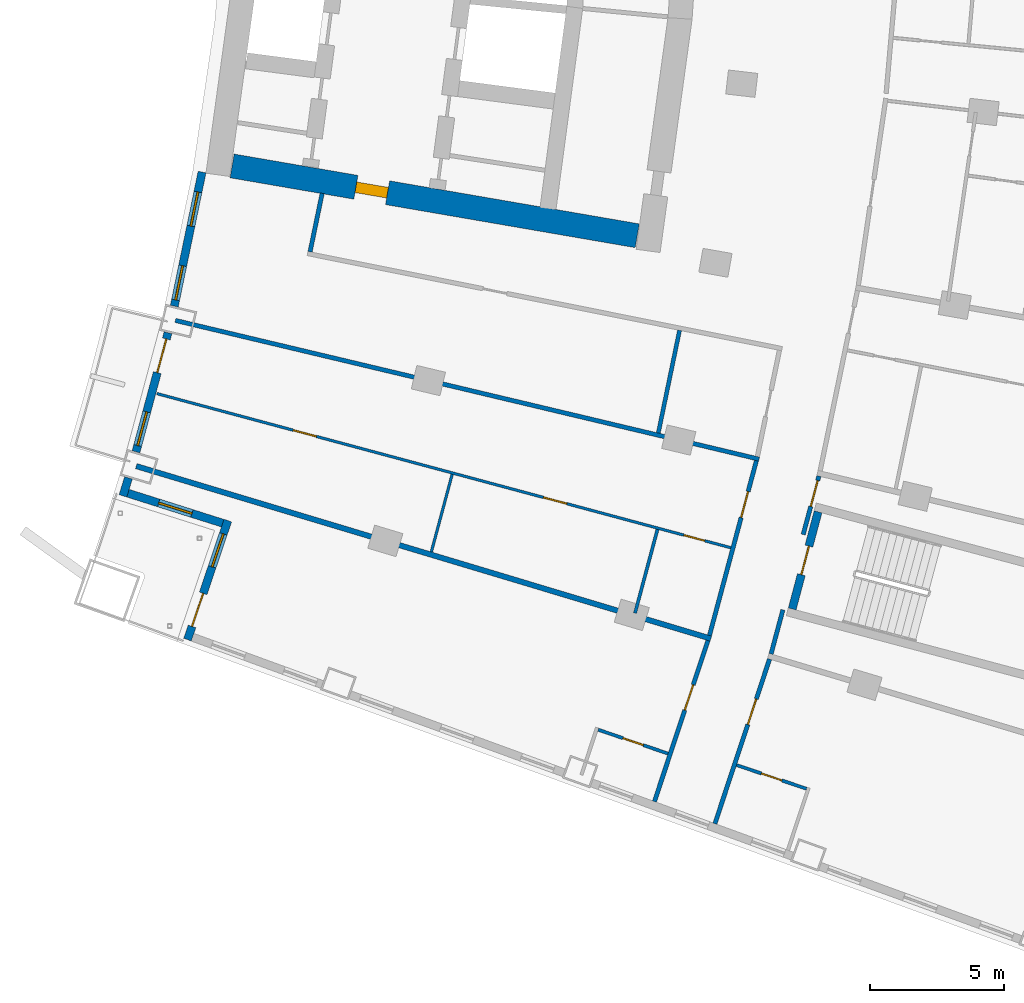
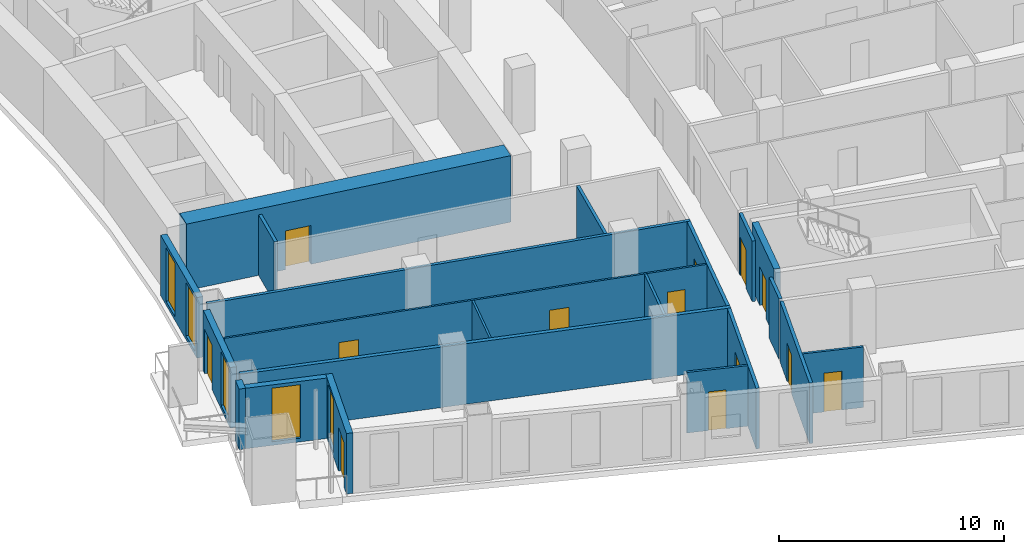
# One storey, part 13 of 25: 21 walls, 13 doors, 5 windows, 18 openings.
"""IFC4 building model written with IfcOpenShell, lengths in metres."""

from ifc_helpers import new_model, si_unit, direction, frame, frame_2d, origin, place, context, subcontext, project, spatial, rectangle, extrude, material, layer, layer_set, type_object, element, fill, save


model = new_model("IFC4")

# Units and contexts
model_context = context("Model", 3, precision=1e-05, world=origin(), true_north=direction((0.0, 1.0)))
body_context = subcontext(model_context, "Body", "Model", "MODEL_VIEW")
ifc_project = project(units=[si_unit("LENGTHUNIT", "METRE"), si_unit("AREAUNIT", "SQUARE_METRE"), si_unit("VOLUMEUNIT", "CUBIC_METRE"), si_unit("PLANEANGLEUNIT", "RADIAN"), si_unit("MASSUNIT", "GRAM", prefix="KILO")], contexts=[model_context])

# Site, building, storey
site_placement = place(None, origin())
site = spatial("IfcSite", under=ifc_project, at=site_placement, CompositionType="ELEMENT")
building_placement = place(site_placement, origin())
building = spatial("IfcBuilding", under=site, at=building_placement, Name="Alderwake Tower", CompositionType="ELEMENT")
storey_placement = place(building_placement, frame((0.0, 0.0, 46.39990234375)))
storey = spatial("IfcBuildingStorey", under=building, at=storey_placement, Name="L10", CompositionType="ELEMENT", Elevation=46.39990234375)

# Wall, opening, door
ifc_material_1 = material(Name="Concrete C70/85", Category="concrete")
ifc_layer_1 = layer(ifc_material_1, 0.89990234375)
ifc_layer_set_1 = layer_set([ifc_layer_1], Name="Core wall outer 900 C70-85")
wall_type_1 = type_object("IfcWallType", Name="Core wall outer 900 C70-85", PredefinedType="SHEAR", material=ifc_layer_set_1)
wall_1_placement = place(storey_placement, frame((31.11328125, 41.846923828125, 0.0), z_axis=(0.0, 0.0, 1.0), x_axis=(-0.985466640605, 0.169869067972, 0.0)))
wall_1 = element("IfcWall", 1, at=wall_1_placement, inside=storey, type_object=wall_type_1, Name="Core wall CW.070", PredefinedType="SHEAR", context=body_context, shape_type="SweptSolid", body=[
    extrude(rectangle(XDim=15.336669921875, YDim=0.89990234375, at=frame_2d((7.66845703125, 0.0))), origin(), (0.0, 0.0, 1.0), 3.60009765625),
])
opening_1_placement = place(wall_1_placement, frame((9.451904296875, 0.0, 0.0)))
opening_1 = element("IfcOpeningElement", 2, at=opening_1_placement, cuts=wall_1, Name="Opening C003", PredefinedType="OPENING", context=body_context, shape_type="SweptSolid", body=[
    extrude(rectangle(XDim=1.199951171875, YDim=2.10009765625, at=frame_2d((0.60009765625, 1.050048828125))), frame((0.0, 0.4599609375, 0.0), z_axis=(0.0, -1.0, 0.0), x_axis=(1.0, 0.0, 0.0)), (0.0, 0.0, 1.0), 0.919921875),
])
ifc_material_2 = material(Name="Steel-framed fire door leaf", Category="steel")
door_type_1 = type_object("IfcDoorType", Name="Core lobby exit door 1200 fire-rated", OperationType="SINGLE_SWING_LEFT", PredefinedType="DOOR", material=ifc_material_2)
door_1_placement = place(opening_1_placement, origin())
door_1 = element("IfcDoor", 3, at=door_1_placement, inside=storey, type_object=door_type_1, Name="Lobby door", OperationType="SINGLE_SWING_LEFT", OverallHeight=2.10009765625, OverallWidth=1.199951171875, PredefinedType="DOOR", context=body_context, shape_type="SweptSolid", body=[
    extrude(rectangle(XDim=1.199951171875, YDim=2.10009765625, at=frame_2d((0.60009765625, 1.050048828125))), frame((0.0, 0.199951171875, 0.0), z_axis=(0.0, -1.0, 0.0), x_axis=(1.0, 0.0, 0.0)), (0.0, 0.0, 1.0), 0.39990234375),
])
fill(opening_1, door_1)

ifc_material_3 = material(Name="Concrete C70/85", Category="concrete")
ifc_layer_2 = layer(ifc_material_3, 0.300048828125)
ifc_layer_set_2 = layer_set([ifc_layer_2], Name="Core wall stair enclosure 300 C70-85")
wall_type_2 = type_object("IfcWallType", Name="Core wall stair enclosure 300 C70-85", PredefinedType="SHEAR", material=ifc_layer_set_2)
wall_2_placement = place(storey_placement, frame((36.89501953125, 27.923828125, 0.0), z_axis=(0.0, 0.0, 1.0), x_axis=(0.257350630826, 0.966318090907, 0.0)))
wall_2 = element("IfcWall", 4, at=wall_2_placement, inside=storey, type_object=wall_type_2, Name="Core wall CW.087", PredefinedType="SHEAR", context=body_context, shape_type="SweptSolid", body=[
    extrude(rectangle(XDim=3.75, YDim=0.300048828125, at=frame_2d((1.875, 0.0))), origin(), (0.0, 0.0, 1.0), 3.60009765625),
])
opening_2_placement = place(wall_2_placement, frame((1.324951171875, 0.0, 0.0)))
opening_2 = element("IfcOpeningElement", 5, at=opening_2_placement, cuts=wall_2, Name="Opening C065", PredefinedType="OPENING", context=body_context, shape_type="SweptSolid", body=[
    extrude(rectangle(XDim=1.10009765625, YDim=2.10009765625, at=frame_2d((0.550048828125, 1.050048828125))), frame((0.0, 0.159912109375, 0.0), z_axis=(0.0, -1.0, 0.0), x_axis=(1.0, 0.0, 0.0)), (0.0, 0.0, 1.0), 0.320068359375),
])
ifc_material_4 = material(Name="Steel-framed fire door leaf", Category="steel")
door_type_2 = type_object("IfcDoorType", Name="Core stair door 1100 fire-rated", OperationType="SINGLE_SWING_LEFT", PredefinedType="DOOR", material=ifc_material_4)
door_2_placement = place(opening_2_placement, origin())
door_2 = element("IfcDoor", 6, at=door_2_placement, inside=storey, type_object=door_type_2, Name="Stair door", OperationType="SINGLE_SWING_LEFT", OverallHeight=2.10009765625, OverallWidth=1.10009765625, PredefinedType="DOOR", context=body_context, shape_type="SweptSolid", body=[
    extrude(rectangle(XDim=1.10009765625, YDim=2.10009765625, at=frame_2d((0.550048828125, 1.050048828125))), frame((0.0, 0.02490234375, 0.0), z_axis=(0.0, -1.0, 0.0), x_axis=(1.0, 0.0, 0.0)), (0.0, 0.0, 1.0), 0.050048828125),
])
fill(opening_2, door_2)

# Walls
ifc_material_5 = material(Name="Gypsum board on metal studs, rated")
ifc_layer_3 = layer(ifc_material_5, 0.159912109375)
ifc_layer_set_3 = layer_set([ifc_layer_3], Name="Corridor wall 160")
wall_type_3 = type_object("IfcWallType", Name="Corridor wall 160", PredefinedType="PARTITIONING", material=ifc_layer_set_3)
wall_3_placement = place(storey_placement, frame((13.884033203125, 38.68798828125, 0.0), z_axis=(0.0, 0.0, 1.0), x_axis=(0.972893462073, -0.231253781493, 0.0)))
element("IfcWall", 7, at=wall_3_placement, inside=storey, type_object=wall_type_3, Name="WL/L10/W14", PredefinedType="PARTITIONING", context=body_context, shape_type="SweptSolid", body=[
    extrude(rectangle(XDim=22.38037109375, YDim=0.159912109375, at=frame_2d((11.190185546875, 0.0))), origin(), (0.0, 0.0, 1.0), 3.280029296875),
])
wall_4_placement = place(storey_placement, frame((19.35888671875, 43.430908203125, 0.0), z_axis=(0.0, 0.0, 1.0), x_axis=(-0.202554916658, -0.979270905183, 0.0)))
element("IfcWall", 8, at=wall_4_placement, inside=storey, type_object=wall_type_3, Name="WL/L10/W17", PredefinedType="PARTITIONING", context=body_context, shape_type="SweptSolid", body=[
    extrude(rectangle(XDim=2.229736328125, YDim=0.159912109375, at=frame_2d((1.11474609375, 0.0))), origin(), (0.0, 0.0, 1.0), 3.280029296875),
])

# Wall, opening, door
wall_5_placement = place(storey_placement, frame((31.7548828125, 20.739013671875, 0.0), z_axis=(0.0, 0.0, 1.0), x_axis=(0.31554473692, 0.948910701279, 0.0)))
wall_5 = element("IfcWall", 9, at=wall_5_placement, inside=storey, type_object=wall_type_3, Name="WL/L10/W19", PredefinedType="PARTITIONING", context=body_context, shape_type="SweptSolid", body=[
    extrude(rectangle(XDim=6.327392578125, YDim=0.159912109375, at=frame_2d((3.16357421875, 0.0))), origin(), (0.0, 0.0, 1.0), 3.280029296875),
])
opening_3_placement = place(wall_5_placement, frame((3.59130859375, 0.0, 0.0)))
opening_3 = element("IfcOpeningElement", 10, at=opening_3_placement, cuts=wall_5, Name="Opening R02-U11.1", PredefinedType="OPENING", context=body_context, shape_type="SweptSolid", body=[
    extrude(rectangle(XDim=1.0, YDim=2.10009765625, at=frame_2d((0.5, 1.050048828125))), frame((0.0, 0.08984375, 0.0), z_axis=(0.0, -1.0, 0.0), x_axis=(1.0, 0.0, 0.0)), (0.0, 0.0, 1.0), 0.179931640625),
])
ifc_material_6 = material(Name="Solid timber leaf in steel frame", Category="steel")
door_type_3 = type_object("IfcDoorType", Name="Flat entrance door 1000 fire-rated", OperationType="SINGLE_SWING_LEFT", PredefinedType="DOOR", material=ifc_material_6)
door_3_placement = place(opening_3_placement, origin())
door_3 = element("IfcDoor", 11, at=door_3_placement, inside=storey, type_object=door_type_3, Name="DR/L10/U11.1", OperationType="SINGLE_SWING_LEFT", OverallHeight=2.10009765625, OverallWidth=1.0, PredefinedType="DOOR", context=body_context, shape_type="SweptSolid", body=[
    extrude(rectangle(XDim=1.0, YDim=2.10009765625, at=frame_2d((0.5, 1.050048828125))), frame((0.0, 0.02490234375, 0.0), z_axis=(0.0, -1.0, 0.0), x_axis=(1.0, 0.0, 0.0)), (0.0, 0.0, 1.0), 0.050048828125),
])
fill(opening_3, door_3)

wall_6_placement = place(storey_placement, frame((33.808837890625, 26.9345703125, 0.0), z_axis=(0.0, 0.0, 1.0), x_axis=(0.259298911818, 0.965797118618, 0.0)))
wall_6 = element("IfcWall", 12, at=wall_6_placement, inside=storey, type_object=wall_type_3, Name="WL/L10/W20", PredefinedType="PARTITIONING", context=body_context, shape_type="SweptSolid", body=[
    extrude(rectangle(XDim=6.75, YDim=0.159912109375, at=frame_2d((3.375, 0.0))), origin(), (0.0, 0.0, 1.0), 3.280029296875),
])
opening_4_placement = place(wall_6_placement, frame((4.5576171875, 0.0, 0.0)))
opening_4 = element("IfcOpeningElement", 13, at=opening_4_placement, cuts=wall_6, Name="Opening R02-U12.2", PredefinedType="OPENING", context=body_context, shape_type="SweptSolid", body=[
    extrude(rectangle(XDim=1.0, YDim=2.10009765625, at=frame_2d((0.5, 1.050048828125))), frame((0.0, 0.08984375, 0.0), z_axis=(0.0, -1.0, 0.0), x_axis=(1.0, 0.0, 0.0)), (0.0, 0.0, 1.0), 0.179931640625),
])
door_4_placement = place(opening_4_placement, origin())
door_4 = element("IfcDoor", 14, at=door_4_placement, inside=storey, type_object=door_type_3, Name="DR/L10/U12.2", OperationType="SINGLE_SWING_LEFT", OverallHeight=2.10009765625, OverallWidth=1.0, PredefinedType="DOOR", context=body_context, shape_type="SweptSolid", body=[
    extrude(rectangle(XDim=1.0, YDim=2.10009765625, at=frame_2d((0.5, 1.050048828125))), frame((0.0, 0.02490234375, 0.0), z_axis=(0.0, -1.0, 0.0), x_axis=(1.0, 0.0, 0.0)), (0.0, 0.0, 1.0), 0.050048828125),
])
fill(opening_4, door_4)

wall_7_placement = place(storey_placement, frame((36.049560546875, 26.052978515625, 0.0), z_axis=(0.0, 0.0, 1.0), x_axis=(-0.315151894598, -0.949041244273, 0.0)))
wall_7 = element("IfcWall", 15, at=wall_7_placement, inside=storey, type_object=wall_type_3, Name="WL/L10/W22", PredefinedType="PARTITIONING", context=body_context, shape_type="SweptSolid", body=[
    extrude(rectangle(XDim=6.468505859375, YDim=0.159912109375, at=frame_2d((3.234375, 0.0))), origin(), (0.0, 0.0, 1.0), 3.280029296875),
])
opening_5_placement = place(wall_7_placement, frame((1.570068359375, 0.0, 0.0)))
opening_5 = element("IfcOpeningElement", 16, at=opening_5_placement, cuts=wall_7, Name="Opening R02-U03.1", PredefinedType="OPENING", context=body_context, shape_type="SweptSolid", body=[
    extrude(rectangle(XDim=1.0, YDim=2.10009765625, at=frame_2d((0.5, 1.050048828125))), frame((0.0, 0.08984375, 0.0), z_axis=(0.0, -1.0, 0.0), x_axis=(1.0, 0.0, 0.0)), (0.0, 0.0, 1.0), 0.179931640625),
])
door_5_placement = place(opening_5_placement, origin())
door_5 = element("IfcDoor", 17, at=door_5_placement, inside=storey, type_object=door_type_3, Name="DR/L10/U03.1", OperationType="SINGLE_SWING_LEFT", OverallHeight=2.10009765625, OverallWidth=1.0, PredefinedType="DOOR", context=body_context, shape_type="SweptSolid", body=[
    extrude(rectangle(XDim=1.0, YDim=2.10009765625, at=frame_2d((0.5, 1.050048828125))), frame((0.0, 0.02490234375, 0.0), z_axis=(0.0, -1.0, 0.0), x_axis=(1.0, 0.0, 0.0)), (0.0, 0.0, 1.0), 0.050048828125),
])
fill(opening_5, door_5)

# Wall
wall_8_placement = place(storey_placement, frame((36.10693359375, 26.24462890625, 0.0), z_axis=(0.0, 0.0, 1.0), x_axis=(0.259346865847, 0.965784242559, 0.0)))
element("IfcWall", 18, at=wall_8_placement, inside=storey, type_object=wall_type_3, Name="WL/L10/W25", PredefinedType="PARTITIONING", context=body_context, shape_type="SweptSolid", body=[
    extrude(rectangle(XDim=1.704833984375, YDim=0.159912109375, at=frame_2d((0.8525390625, 0.0))), origin(), (0.0, 0.0, 1.0), 3.280029296875),
])

# Wall, opening, door
wall_9_placement = place(storey_placement, frame((37.89111328125, 32.87939453125, 0.0), z_axis=(0.0, 0.0, 1.0), x_axis=(-0.259620578816, -0.965710699462, 0.0)))
wall_9 = element("IfcWall", 19, at=wall_9_placement, inside=storey, type_object=wall_type_3, Name="WL/L10/W30", PredefinedType="PARTITIONING", context=body_context, shape_type="SweptSolid", body=[
    extrude(rectangle(XDim=2.2578125, YDim=0.159912109375, at=frame_2d((1.12890625, 0.0))), origin(), (0.0, 0.0, 1.0), 3.280029296875),
])
opening_6_placement = place(wall_9_placement, frame((0.1708984375, 0.0, 0.0)))
opening_6 = element("IfcOpeningElement", 20, at=opening_6_placement, cuts=wall_9, Name="Opening R02-U01.1", PredefinedType="OPENING", context=body_context, shape_type="SweptSolid", body=[
    extrude(rectangle(XDim=1.0, YDim=2.10009765625, at=frame_2d((0.5, 1.050048828125))), frame((0.0, 0.08984375, 0.0), z_axis=(0.0, -1.0, 0.0), x_axis=(1.0, 0.0, 0.0)), (0.0, 0.0, 1.0), 0.179931640625),
])
door_6_placement = place(opening_6_placement, origin())
door_6 = element("IfcDoor", 21, at=door_6_placement, inside=storey, type_object=door_type_3, Name="DR/L10/U01.1", OperationType="SINGLE_SWING_LEFT", OverallHeight=2.10009765625, OverallWidth=1.0, PredefinedType="DOOR", context=body_context, shape_type="SweptSolid", body=[
    extrude(rectangle(XDim=1.0, YDim=2.10009765625, at=frame_2d((0.5, 1.050048828125))), frame((0.0, 0.02490234375, 0.0), z_axis=(0.0, -1.0, 0.0), x_axis=(1.0, 0.0, 0.0)), (0.0, 0.0, 1.0), 0.050048828125),
])
fill(opening_6, door_6)

# Wall
ifc_material_7 = material(Name="Precast concrete C50/60 spandrel panel", Category="concrete")
ifc_layer_4 = layer(ifc_material_7, 0.300048828125)
ifc_layer_set_4 = layer_set([ifc_layer_4], Name="External wall EW1 Precast concrete C50/60 spandrel")
wall_type_4 = type_object("IfcWallType", Name="External wall EW1 Precast concrete C50/60 spandrel", PredefinedType="SOLIDWALL", material=ifc_layer_set_4)
wall_10_placement = place(storey_placement, frame((12.1328125, 32.814453125, 0.0), z_axis=(0.0, 0.0, 1.0), x_axis=(-0.294671831364, -0.955598509731, 0.0)))
element("IfcWall", 22, at=wall_10_placement, inside=storey, type_object=wall_type_4, Name="External wall 1", PredefinedType="SOLIDWALL", context=body_context, shape_type="SweptSolid", body=[
    extrude(rectangle(XDim=0.70263671875, YDim=0.300048828125, at=frame_2d((0.351318359375, 0.0))), origin(), (0.0, 0.0, 1.0), 3.280029296875),
])

# Wall, openings, windows
wall_11_placement = place(storey_placement, frame((14.878173828125, 44.223388671875, 0.0), z_axis=(0.0, 0.0, 1.0), x_axis=(-0.202738354746, -0.979232944459, 0.0)))
wall_11 = element("IfcWall", 23, at=wall_11_placement, inside=storey, type_object=wall_type_4, Name="External wall 35", PredefinedType="SOLIDWALL", context=body_context, shape_type="SweptSolid", body=[
    extrude(rectangle(XDim=5.1083984375, YDim=0.300048828125, at=frame_2d((2.55419921875, 0.0))), origin(), (0.0, 0.0, 1.0), 3.280029296875),
])
opening_7_placement = place(wall_11_placement, frame((0.75634765625, 0.0, 0.199951171875)))
opening_7 = element("IfcOpeningElement", 24, at=opening_7_placement, cuts=wall_11, Name="Opening W1", PredefinedType="OPENING", context=body_context, shape_type="SweptSolid", body=[
    extrude(rectangle(XDim=1.300048828125, YDim=2.89990234375, at=frame_2d((0.64990234375, 1.449951171875))), frame((0.0, 0.159912109375, 0.0), z_axis=(0.0, -1.0, 0.0), x_axis=(1.0, 0.0, 0.0)), (0.0, 0.0, 1.0), 0.320068359375),
])
opening_8_placement = place(wall_11_placement, frame((3.569091796875, 0.0, 0.199951171875)))
opening_8 = element("IfcOpeningElement", 25, at=opening_8_placement, cuts=wall_11, Name="Opening W1", PredefinedType="OPENING", context=body_context, shape_type="SweptSolid", body=[
    extrude(rectangle(XDim=1.300048828125, YDim=2.89990234375, at=frame_2d((0.64990234375, 1.449951171875))), frame((0.0, 0.159912109375, 0.0), z_axis=(0.0, -1.0, 0.0), x_axis=(1.0, 0.0, 0.0)), (0.0, 0.0, 1.0), 0.320068359375),
])
ifc_material_8 = material(Name="Bronze tinted glass in aluminium frame", Category="aluminium")
window_type = type_object("IfcWindowType", Name="Window W1 tall fixed and vent", PartitioningType="DOUBLE_PANEL_VERTICAL", PredefinedType="WINDOW", material=ifc_material_8)
window_1_placement = place(opening_7_placement, origin())
window_1 = element("IfcWindow", 26, at=window_1_placement, inside=storey, type_object=window_type, Name="Window W1 tall fixed and vent", OverallHeight=2.89990234375, OverallWidth=1.300048828125, PartitioningType="DOUBLE_PANEL_VERTICAL", PredefinedType="WINDOW", context=body_context, shape_type="SweptSolid", body=[
    extrude(rectangle(XDim=1.300048828125, YDim=2.89990234375, at=frame_2d((0.64990234375, 1.449951171875))), frame((0.0, 0.030029296875, 0.0), z_axis=(0.0, -1.0, 0.0), x_axis=(1.0, 0.0, 0.0)), (0.0, 0.0, 1.0), 0.06005859375),
])
fill(opening_7, window_1)
window_2_placement = place(opening_8_placement, origin())
window_2 = element("IfcWindow", 27, at=window_2_placement, inside=storey, type_object=window_type, Name="Window W1 tall fixed and vent", OverallHeight=2.89990234375, OverallWidth=1.300048828125, PartitioningType="DOUBLE_PANEL_VERTICAL", PredefinedType="WINDOW", context=body_context, shape_type="SweptSolid", body=[
    extrude(rectangle(XDim=1.300048828125, YDim=2.89990234375, at=frame_2d((0.64990234375, 1.449951171875))), frame((0.0, 0.030029296875, 0.0), z_axis=(0.0, -1.0, 0.0), x_axis=(1.0, 0.0, 0.0)), (0.0, 0.0, 1.0), 0.06005859375),
])
fill(opening_8, window_2)

# Wall, openings, door, window
wall_12_placement = place(storey_placement, frame((13.606689453125, 38.229248046875, 0.0), z_axis=(0.0, 0.0, 1.0), x_axis=(-0.259495671332, -0.965744270788, 0.0)))
wall_12 = element("IfcWall", 28, at=wall_12_placement, inside=storey, type_object=wall_type_4, Name="External wall 36", PredefinedType="SOLIDWALL", context=body_context, shape_type="SweptSolid", body=[
    extrude(rectangle(XDim=4.599609375, YDim=0.300048828125, at=frame_2d((2.2998046875, 0.0))), origin(), (0.0, 0.0, 1.0), 3.280029296875),
])
opening_9_placement = place(wall_12_placement, frame((0.2412109375, 0.0, 0.0)))
opening_9 = element("IfcOpeningElement", 29, at=opening_9_placement, cuts=wall_12, Name="Opening D16", PredefinedType="OPENING", context=body_context, shape_type="SweptSolid", body=[
    extrude(rectangle(XDim=1.300048828125, YDim=2.39990234375, at=frame_2d((0.64990234375, 1.199951171875))), frame((0.0, 0.159912109375, 0.0), z_axis=(0.0, -1.0, 0.0), x_axis=(1.0, 0.0, 0.0)), (0.0, 0.0, 1.0), 0.320068359375),
])
opening_10_placement = place(wall_12_placement, frame((3.058349609375, 0.0, 0.199951171875)))
opening_10 = element("IfcOpeningElement", 30, at=opening_10_placement, cuts=wall_12, Name="Opening W1", PredefinedType="OPENING", context=body_context, shape_type="SweptSolid", body=[
    extrude(rectangle(XDim=1.300048828125, YDim=2.89990234375, at=frame_2d((0.64990234375, 1.449951171875))), frame((0.0, 0.159912109375, 0.0), z_axis=(0.0, -1.0, 0.0), x_axis=(1.0, 0.0, 0.0)), (0.0, 0.0, 1.0), 0.320068359375),
])
ifc_material_9 = material(Name="Bronze tinted glass in aluminium frame", Category="aluminium")
door_type_4 = type_object("IfcDoorType", Name="Balcony door BD sliding", OperationType="SLIDING_TO_LEFT", PredefinedType="DOOR", material=ifc_material_9)
door_7_placement = place(opening_9_placement, origin())
door_7 = element("IfcDoor", 31, at=door_7_placement, inside=storey, type_object=door_type_4, Name="Door D16", OperationType="SLIDING_TO_LEFT", OverallHeight=2.39990234375, OverallWidth=1.300048828125, PredefinedType="DOOR", context=body_context, shape_type="SweptSolid", body=[
    extrude(rectangle(XDim=1.300048828125, YDim=2.39990234375, at=frame_2d((0.64990234375, 1.199951171875))), frame((0.0, 0.02490234375, 0.0), z_axis=(0.0, -1.0, 0.0), x_axis=(1.0, 0.0, 0.0)), (0.0, 0.0, 1.0), 0.050048828125),
])
fill(opening_9, door_7)
window_3_placement = place(opening_10_placement, origin())
window_3 = element("IfcWindow", 32, at=window_3_placement, inside=storey, type_object=window_type, Name="Window W1 tall fixed and vent", OverallHeight=2.89990234375, OverallWidth=1.300048828125, PartitioningType="DOUBLE_PANEL_VERTICAL", PredefinedType="WINDOW", context=body_context, shape_type="SweptSolid", body=[
    extrude(rectangle(XDim=1.300048828125, YDim=2.89990234375, at=frame_2d((0.64990234375, 1.449951171875))), frame((0.0, 0.030029296875, 0.0), z_axis=(0.0, -1.0, 0.0), x_axis=(1.0, 0.0, 0.0)), (0.0, 0.0, 1.0), 0.06005859375),
])
fill(opening_10, window_3)

# Wall, opening, window
ifc_material_10 = material(Name="Bronze metal cladding on lightweight framing")
ifc_layer_5 = layer(ifc_material_10, 0.300048828125)
ifc_layer_set_5 = layer_set([ifc_layer_5], Name="External wall EW2 bronze metal cladding")
wall_type_5 = type_object("IfcWallType", Name="External wall EW2 bronze metal cladding", PredefinedType="SOLIDWALL", material=ifc_layer_set_5)
wall_13_placement = place(storey_placement, frame((12.113037109375, 32.2412109375, 0.0), z_axis=(0.0, 0.0, 1.0), x_axis=(0.953458128271, -0.301525451054, 0.0)))
wall_13 = element("IfcWall", 33, at=wall_13_placement, inside=storey, type_object=wall_type_5, Name="External wall 2", PredefinedType="SOLIDWALL", context=body_context, shape_type="SweptSolid", body=[
    extrude(rectangle(XDim=3.705810546875, YDim=0.300048828125, at=frame_2d((1.85302734375, 0.0))), origin(), (0.0, 0.0, 1.0), 3.280029296875),
])
opening_11_placement = place(wall_13_placement, frame((1.202880859375, 0.0, 0.199951171875)))
opening_11 = element("IfcOpeningElement", 34, at=opening_11_placement, cuts=wall_13, Name="Opening W1", PredefinedType="OPENING", context=body_context, shape_type="SweptSolid", body=[
    extrude(rectangle(XDim=1.300048828125, YDim=2.89990234375, at=frame_2d((0.64990234375, 1.449951171875))), frame((0.0, 0.159912109375, 0.0), z_axis=(0.0, -1.0, 0.0), x_axis=(1.0, 0.0, 0.0)), (0.0, 0.0, 1.0), 0.320068359375),
])
window_4_placement = place(opening_11_placement, origin())
window_4 = element("IfcWindow", 35, at=window_4_placement, inside=storey, type_object=window_type, Name="Window W1 tall fixed and vent", OverallHeight=2.89990234375, OverallWidth=1.300048828125, PartitioningType="DOUBLE_PANEL_VERTICAL", PredefinedType="WINDOW", context=body_context, shape_type="SweptSolid", body=[
    extrude(rectangle(XDim=1.300048828125, YDim=2.89990234375, at=frame_2d((0.64990234375, 1.449951171875))), frame((0.0, 0.030029296875, 0.0), z_axis=(0.0, -1.0, 0.0), x_axis=(1.0, 0.0, 0.0)), (0.0, 0.0, 1.0), 0.06005859375),
])
fill(opening_11, window_4)

# Wall, openings, door, window
wall_14_placement = place(storey_placement, frame((15.83740234375, 31.220703125, 0.0), z_axis=(0.0, 0.0, 1.0), x_axis=(-0.32041006121, -0.947278941324, 0.0)))
wall_14 = element("IfcWall", 36, at=wall_14_placement, inside=storey, type_object=wall_type_5, Name="External wall 3", PredefinedType="SOLIDWALL", context=body_context, shape_type="SweptSolid", body=[
    extrude(rectangle(XDim=4.68994140625, YDim=0.300048828125, at=frame_2d((2.344970703125, 0.0))), origin(), (0.0, 0.0, 1.0), 3.280029296875),
])
opening_12_placement = place(wall_14_placement, frame((0.5224609375, 0.0, 0.199951171875)))
opening_12 = element("IfcOpeningElement", 37, at=opening_12_placement, cuts=wall_14, Name="Opening W1", PredefinedType="OPENING", context=body_context, shape_type="SweptSolid", body=[
    extrude(rectangle(XDim=1.300048828125, YDim=2.89990234375, at=frame_2d((0.64990234375, 1.449951171875))), frame((0.0, 0.159912109375, 0.0), z_axis=(0.0, -1.0, 0.0), x_axis=(1.0, 0.0, 0.0)), (0.0, 0.0, 1.0), 0.320068359375),
])
opening_13_placement = place(wall_14_placement, frame((2.867431640625, 0.0, 0.0)))
opening_13 = element("IfcOpeningElement", 38, at=opening_13_placement, cuts=wall_14, Name="Opening D01", PredefinedType="OPENING", context=body_context, shape_type="SweptSolid", body=[
    extrude(rectangle(XDim=1.300048828125, YDim=2.39990234375, at=frame_2d((0.64990234375, 1.199951171875))), frame((0.0, 0.159912109375, 0.0), z_axis=(0.0, -1.0, 0.0), x_axis=(1.0, 0.0, 0.0)), (0.0, 0.0, 1.0), 0.320068359375),
])
door_8_placement = place(opening_13_placement, origin())
door_8 = element("IfcDoor", 39, at=door_8_placement, inside=storey, type_object=door_type_4, Name="Door D01", OperationType="SLIDING_TO_LEFT", OverallHeight=2.39990234375, OverallWidth=1.300048828125, PredefinedType="DOOR", context=body_context, shape_type="SweptSolid", body=[
    extrude(rectangle(XDim=1.300048828125, YDim=2.39990234375, at=frame_2d((0.64990234375, 1.199951171875))), frame((0.0, 0.02490234375, 0.0), z_axis=(0.0, -1.0, 0.0), x_axis=(1.0, 0.0, 0.0)), (0.0, 0.0, 1.0), 0.050048828125),
])
fill(opening_13, door_8)
window_5_placement = place(opening_12_placement, origin())
window_5 = element("IfcWindow", 40, at=window_5_placement, inside=storey, type_object=window_type, Name="Window W1 tall fixed and vent", OverallHeight=2.89990234375, OverallWidth=1.300048828125, PartitioningType="DOUBLE_PANEL_VERTICAL", PredefinedType="WINDOW", context=body_context, shape_type="SweptSolid", body=[
    extrude(rectangle(XDim=1.300048828125, YDim=2.89990234375, at=frame_2d((0.64990234375, 1.449951171875))), frame((0.0, 0.030029296875, 0.0), z_axis=(0.0, -1.0, 0.0), x_axis=(1.0, 0.0, 0.0)), (0.0, 0.0, 1.0), 0.06005859375),
])
fill(opening_12, window_5)

# Walls
ifc_material_11 = material(Name="Dense block masonry wall", Category="masonry")
ifc_layer_6 = layer(ifc_material_11, 0.199951171875)
ifc_layer_set_6 = layer_set([ifc_layer_6], Name="Party wall 200")
wall_type_6 = type_object("IfcWallType", Name="Party wall 200", PredefinedType="SOLIDWALL", material=ifc_layer_set_6)
wall_15_placement = place(storey_placement, frame((33.859619140625, 26.81494140625, 0.0), z_axis=(0.0, 0.0, 1.0), x_axis=(-0.95775179957, 0.287596054251, 0.0)))
element("IfcWall", 41, at=wall_15_placement, inside=storey, type_object=wall_type_6, Name="WL/L10/W02", PredefinedType="SOLIDWALL", context=body_context, shape_type="SweptSolid", body=[
    extrude(rectangle(XDim=22.382080078125, YDim=0.199951171875, at=frame_2d((11.19091796875, 0.0))), origin(), (0.0, 0.0, 1.0), 3.280029296875),
])
ifc_material_12 = material(Name="Gypsum shaft wall system, rated")
ifc_layer_7 = layer(ifc_material_12, 0.14990234375)
ifc_layer_set_7 = layer_set([ifc_layer_7], Name="Riser and shaft wall 150")
wall_type_7 = type_object("IfcWallType", Name="Riser and shaft wall 150", PredefinedType="PARTITIONING", material=ifc_layer_set_7)
wall_16_placement = place(storey_placement, frame((31.900146484375, 34.48828125, 0.0), z_axis=(0.0, 0.0, 1.0), x_axis=(0.20266545775, 0.979248034073, 0.0)))
element("IfcWall", 42, at=wall_16_placement, inside=storey, type_object=wall_type_7, Name="WL/L10/W12", PredefinedType="PARTITIONING", context=body_context, shape_type="SweptSolid", body=[
    extrude(rectangle(XDim=3.911376953125, YDim=0.14990234375, at=frame_2d((1.95556640625, 0.0))), origin(), (0.0, 0.0, 1.0), 3.280029296875),
])

# Wall, openings, doors
ifc_material_13 = material(Name="Gypsum board on metal studs")
ifc_layer_8 = layer(ifc_material_13, 0.10009765625)
ifc_layer_set_8 = layer_set([ifc_layer_8], Name="Unit partition 100")
wall_type_8 = type_object("IfcWallType", Name="Unit partition 100", PredefinedType="PARTITIONING", material=ifc_layer_set_8)
wall_17_placement = place(storey_placement, frame((34.605712890625, 30.206787109375, 0.0), z_axis=(0.0, 0.0, 1.0), x_axis=(-0.965767846078, 0.259407917152, 0.0)))
wall_17 = element("IfcWall", 43, at=wall_17_placement, inside=storey, type_object=wall_type_8, Name="WL/L10/W63", PredefinedType="PARTITIONING", context=body_context, shape_type="SweptSolid", body=[
    extrude(rectangle(XDim=22.170654296875, YDim=0.10009765625, at=frame_2d((11.08544921875, 0.0))), origin(), (0.0, 0.0, 1.0), 3.280029296875),
])
opening_14_placement = place(wall_17_placement, frame((6.335205078125, 0.0, 0.0)))
opening_14 = element("IfcOpeningElement", 44, at=opening_14_placement, cuts=wall_17, Name="Opening R02-U12.1", PredefinedType="OPENING", context=body_context, shape_type="SweptSolid", body=[
    extrude(rectangle(XDim=0.89990234375, YDim=2.10009765625, at=frame_2d((0.449951171875, 1.050048828125))), frame((0.0, 0.06005859375, 0.0), z_axis=(0.0, -1.0, 0.0), x_axis=(1.0, 0.0, 0.0)), (0.0, 0.0, 1.0), 0.1201171875),
])
opening_15_placement = place(wall_17_placement, frame((1.010009765625, 0.0, 0.0)))
opening_15 = element("IfcOpeningElement", 45, at=opening_15_placement, cuts=wall_17, Name="Opening R02-U12.3", PredefinedType="OPENING", context=body_context, shape_type="SweptSolid", body=[
    extrude(rectangle(XDim=0.800048828125, YDim=2.10009765625, at=frame_2d((0.39990234375, 1.050048828125))), frame((0.0, 0.06005859375, 0.0), z_axis=(0.0, -1.0, 0.0), x_axis=(1.0, 0.0, 0.0)), (0.0, 0.0, 1.0), 0.1201171875),
])
opening_16_placement = place(wall_17_placement, frame((16.010498046875, 0.0, 0.0)))
opening_16 = element("IfcOpeningElement", 46, at=opening_16_placement, cuts=wall_17, Name="Opening R02-U12.4", PredefinedType="OPENING", context=body_context, shape_type="SweptSolid", body=[
    extrude(rectangle(XDim=0.89990234375, YDim=2.10009765625, at=frame_2d((0.449951171875, 1.050048828125))), frame((0.0, 0.06005859375, 0.0), z_axis=(0.0, -1.0, 0.0), x_axis=(1.0, 0.0, 0.0)), (0.0, 0.0, 1.0), 0.1201171875),
])
ifc_material_14 = material(Name="Painted timber leaf", Category="wood")
door_type_5 = type_object("IfcDoorType", Name="Bathroom door 800", OperationType="SINGLE_SWING_LEFT", PredefinedType="DOOR", material=ifc_material_14)
door_9_placement = place(opening_15_placement, origin())
door_9 = element("IfcDoor", 47, at=door_9_placement, inside=storey, type_object=door_type_5, Name="DR/L10/U12.3", OperationType="SINGLE_SWING_LEFT", OverallHeight=2.10009765625, OverallWidth=0.800048828125, PredefinedType="DOOR", context=body_context, shape_type="SweptSolid", body=[
    extrude(rectangle(XDim=0.800048828125, YDim=2.10009765625, at=frame_2d((0.39990234375, 1.050048828125))), frame((0.0, 0.02490234375, 0.0), z_axis=(0.0, -1.0, 0.0), x_axis=(1.0, 0.0, 0.0)), (0.0, 0.0, 1.0), 0.050048828125),
])
fill(opening_15, door_9)
ifc_material_15 = material(Name="Painted timber leaf", Category="wood")
door_type_6 = type_object("IfcDoorType", Name="Room door 900", OperationType="SINGLE_SWING_LEFT", PredefinedType="DOOR", material=ifc_material_15)
door_10_placement = place(opening_14_placement, origin())
door_10 = element("IfcDoor", 48, at=door_10_placement, inside=storey, type_object=door_type_6, Name="DR/L10/U12.1", OperationType="SINGLE_SWING_LEFT", OverallHeight=2.10009765625, OverallWidth=0.89990234375, PredefinedType="DOOR", context=body_context, shape_type="SweptSolid", body=[
    extrude(rectangle(XDim=0.89990234375, YDim=2.10009765625, at=frame_2d((0.449951171875, 1.050048828125))), frame((0.0, 0.02490234375, 0.0), z_axis=(0.0, -1.0, 0.0), x_axis=(1.0, 0.0, 0.0)), (0.0, 0.0, 1.0), 0.050048828125),
])
fill(opening_14, door_10)
door_11_placement = place(opening_16_placement, origin())
door_11 = element("IfcDoor", 49, at=door_11_placement, inside=storey, type_object=door_type_6, Name="DR/L10/U12.4", OperationType="SINGLE_SWING_LEFT", OverallHeight=2.10009765625, OverallWidth=0.89990234375, PredefinedType="DOOR", context=body_context, shape_type="SweptSolid", body=[
    extrude(rectangle(XDim=0.89990234375, YDim=2.10009765625, at=frame_2d((0.449951171875, 1.050048828125))), frame((0.0, 0.02490234375, 0.0), z_axis=(0.0, -1.0, 0.0), x_axis=(1.0, 0.0, 0.0)), (0.0, 0.0, 1.0), 0.050048828125),
])
fill(opening_16, door_11)

# Walls
wall_18_placement = place(storey_placement, frame((24.208984375, 32.94580078125, 0.0), z_axis=(0.0, 0.0, 1.0), x_axis=(-0.259310212645, -0.965794084481, 0.0)))
element("IfcWall", 50, at=wall_18_placement, inside=storey, type_object=wall_type_8, Name="WL/L10/W65", PredefinedType="PARTITIONING", context=body_context, shape_type="SweptSolid", body=[
    extrude(rectangle(XDim=2.996826171875, YDim=0.10009765625, at=frame_2d((1.49853515625, 0.0))), origin(), (0.0, 0.0, 1.0), 3.280029296875),
])
ifc_material_16 = material(Name="Moisture resistant gypsum board on metal studs")
ifc_layer_9 = layer(ifc_material_16, 0.1201171875)
ifc_layer_set_9 = layer_set([ifc_layer_9], Name="Wet room partition 120")
wall_type_9 = type_object("IfcWallType", Name="Wet room partition 120", PredefinedType="PARTITIONING", material=ifc_layer_set_9)
wall_19_placement = place(storey_placement, frame((31.867919921875, 30.8876953125, 0.0), z_axis=(0.0, 0.0, 1.0), x_axis=(-0.259149206489, -0.96583729933, 0.0)))
element("IfcWall", 51, at=wall_19_placement, inside=storey, type_object=wall_type_9, Name="WL/L10/W45", PredefinedType="PARTITIONING", context=body_context, shape_type="SweptSolid", body=[
    extrude(rectangle(XDim=3.2294921875, YDim=0.1201171875, at=frame_2d((1.61474609375, 0.0))), origin(), (0.0, 0.0, 1.0), 3.280029296875),
])

# Wall, opening, door
wall_20_placement = place(storey_placement, frame((32.264404296875, 22.52587890625, 0.0), z_axis=(0.0, 0.0, 1.0), x_axis=(-0.946049080569, 0.324023358964, 0.0)))
wall_20 = element("IfcWall", 52, at=wall_20_placement, inside=storey, type_object=wall_type_9, Name="WL/L10/W46", PredefinedType="PARTITIONING", context=body_context, shape_type="SweptSolid", body=[
    extrude(rectangle(XDim=2.758544921875, YDim=0.1201171875, at=frame_2d((1.37939453125, 0.0))), origin(), (0.0, 0.0, 1.0), 3.280029296875),
])
opening_17_placement = place(wall_20_placement, frame((0.979248046875, 0.0, 0.0)))
opening_17 = element("IfcOpeningElement", 53, at=opening_17_placement, cuts=wall_20, Name="Opening R02-U11.2", PredefinedType="OPENING", context=body_context, shape_type="SweptSolid", body=[
    extrude(rectangle(XDim=0.800048828125, YDim=2.10009765625, at=frame_2d((0.39990234375, 1.050048828125))), frame((0.0, 0.070068359375, 0.0), z_axis=(0.0, -1.0, 0.0), x_axis=(1.0, 0.0, 0.0)), (0.0, 0.0, 1.0), 0.14013671875),
])
door_12_placement = place(opening_17_placement, origin())
door_12 = element("IfcDoor", 54, at=door_12_placement, inside=storey, type_object=door_type_5, Name="DR/L10/U11.2", OperationType="SINGLE_SWING_LEFT", OverallHeight=2.10009765625, OverallWidth=0.800048828125, PredefinedType="DOOR", context=body_context, shape_type="SweptSolid", body=[
    extrude(rectangle(XDim=0.800048828125, YDim=2.10009765625, at=frame_2d((0.39990234375, 1.050048828125))), frame((0.0, 0.02490234375, 0.0), z_axis=(0.0, -1.0, 0.0), x_axis=(1.0, 0.0, 0.0)), (0.0, 0.0, 1.0), 0.050048828125),
])
fill(opening_17, door_12)

wall_21_placement = place(storey_placement, frame((37.43115234375, 21.21435546875, 0.0), z_axis=(0.0, 0.0, 1.0), x_axis=(-0.947122883389, 0.320871070307, 0.0)))
wall_21 = element("IfcWall", 55, at=wall_21_placement, inside=storey, type_object=wall_type_9, Name="WL/L10/W49", PredefinedType="PARTITIONING", context=body_context, shape_type="SweptSolid", body=[
    extrude(rectangle(XDim=2.758056640625, YDim=0.1201171875, at=frame_2d((1.37890625, 0.0))), origin(), (0.0, 0.0, 1.0), 3.280029296875),
])
opening_18_placement = place(wall_21_placement, frame((0.97900390625, 0.0, 0.0)))
opening_18 = element("IfcOpeningElement", 56, at=opening_18_placement, cuts=wall_21, Name="Opening R02-U03.2", PredefinedType="OPENING", context=body_context, shape_type="SweptSolid", body=[
    extrude(rectangle(XDim=0.800048828125, YDim=2.10009765625, at=frame_2d((0.39990234375, 1.050048828125))), frame((0.0, 0.070068359375, 0.0), z_axis=(0.0, -1.0, 0.0), x_axis=(1.0, 0.0, 0.0)), (0.0, 0.0, 1.0), 0.14013671875),
])
door_13_placement = place(opening_18_placement, origin())
door_13 = element("IfcDoor", 57, at=door_13_placement, inside=storey, type_object=door_type_5, Name="DR/L10/U03.2", OperationType="SINGLE_SWING_LEFT", OverallHeight=2.10009765625, OverallWidth=0.800048828125, PredefinedType="DOOR", context=body_context, shape_type="SweptSolid", body=[
    extrude(rectangle(XDim=0.800048828125, YDim=2.10009765625, at=frame_2d((0.39990234375, 1.050048828125))), frame((0.0, 0.02490234375, 0.0), z_axis=(0.0, -1.0, 0.0), x_axis=(1.0, 0.0, 0.0)), (0.0, 0.0, 1.0), 0.050048828125),
])
fill(opening_18, door_13)

save(model, "model.ifc")
